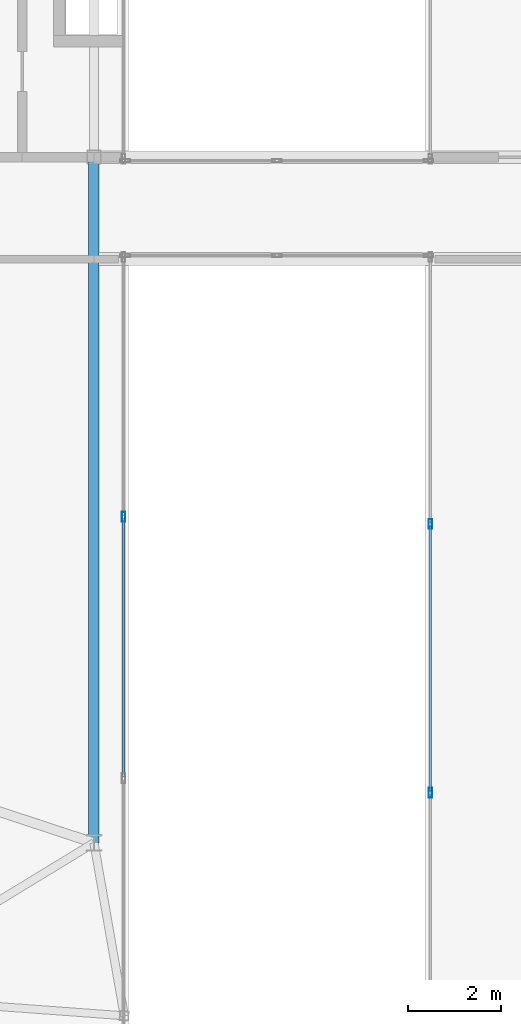
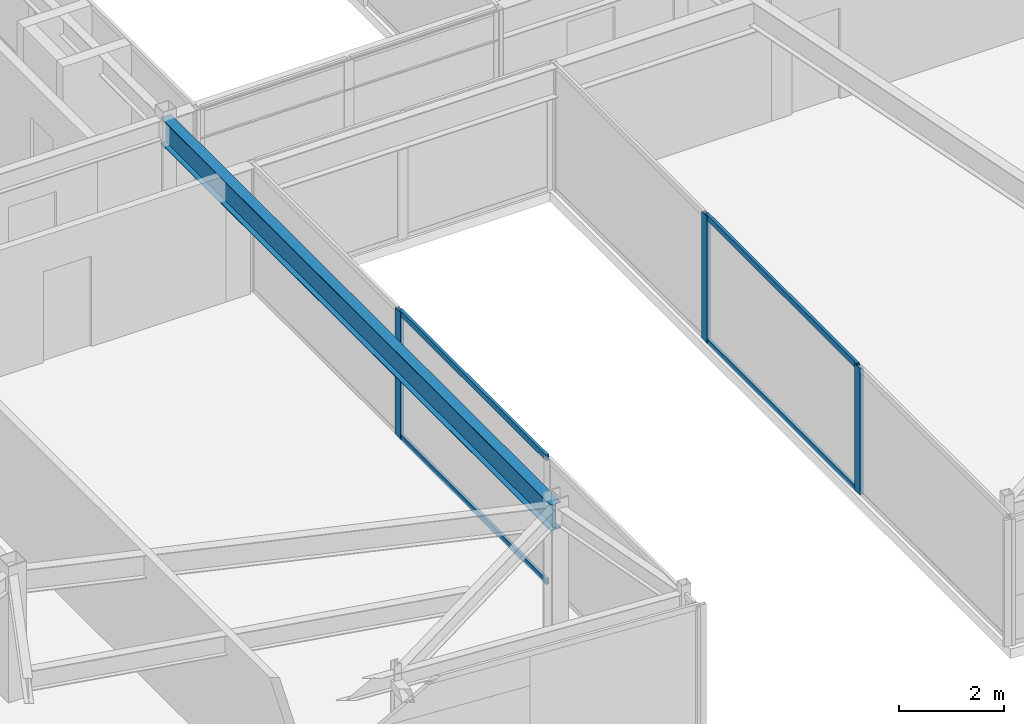
# One storey, part 13 of 39: 7 members, 1 beam, 2 elements without a shape of their own.
"""IFC4 building model written with IfcOpenShell, lengths in metres."""

import ifcopenshell
import ifcopenshell.guid

model = None  # the IFC model being written
_history = None  # IfcOwnerHistory: only IFC2X3 demands one
_inside = {}  # id of a spatial element -> (the spatial element, [elements in it])
_under = {}  # id of a project, library or spatial element -> (it, [spatial elements below it])
_declared = {}  # id of a project -> (the project, [libraries it declares])
_typed = {}  # id of a type object -> (the type object, [elements of that type])
_made_of = {}  # id of a material, layer set ... -> (it, [elements and type objects made of it])


def new_model(schema):
    """Start an empty IFC model of exactly this schema.

    Asked for "IFC4X3", IfcOpenShell would pick the latest addendum, in which some entities
    have other attributes; the version numbers below select the first issue.
    IFC2X3 requires an IfcOwnerHistory on every rooted entity: one is made here for all.
    """
    global model, _history
    if schema == "IFC4X3":
        model = ifcopenshell.file(schema_version=(4, 3, 0, 0))
    else:
        model = ifcopenshell.file(schema=schema)
    _inside.clear()
    _under.clear()
    _declared.clear()
    _typed.clear()
    _made_of.clear()
    _history = None
    if model.schema == "IFC2X3":
        org = make("IfcOrganization", Name="unknown")
        user = make(
            "IfcPersonAndOrganization",
            ThePerson=make("IfcPerson", FamilyName="unknown"),
            TheOrganization=org,
        )
        app = make(
            "IfcApplication",
            ApplicationDeveloper=org,
            Version="unknown",
            ApplicationFullName="unknown",
            ApplicationIdentifier="unknown",
        )
        _history = make(
            "IfcOwnerHistory",
            OwningUser=user,
            OwningApplication=app,
            ChangeAction="ADDED",
            CreationDate=0,
        )
    return model


def make(cls, **values):
    """One entity of the class cls with the attributes given. An attribute that is None is left unset."""
    return model.create_entity(
        cls, **{name: value for name, value in values.items() if value is not None}
    )


def rooted(cls, **values):
    """An entity with a GlobalId (a new one), such as an element, a storey or a relation."""
    return make(cls, GlobalId=ifcopenshell.guid.new(), OwnerHistory=_history, **values)


def si_unit(unit_type, name, prefix=None):
    """IfcSIUnit, for example si_unit("LENGTHUNIT", "METRE", prefix="MILLI")."""
    return make("IfcSIUnit", UnitType=unit_type, Prefix=prefix, Name=name)


def assignment(units):
    """IfcUnitAssignment: the units of a project."""
    return None if units is None else make("IfcUnitAssignment", Units=units)


def point(xyz):
    """IfcCartesianPoint."""
    return None if xyz is None else make("IfcCartesianPoint", Coordinates=xyz)


def direction(xyz):
    """IfcDirection."""
    return None if xyz is None else make("IfcDirection", DirectionRatios=xyz)


def frame(location, z_axis=None, x_axis=None):
    """IfcAxis2Placement3D, a coordinate frame: its origin and axes. An axis left out is left unset."""
    return make(
        "IfcAxis2Placement3D",
        Location=point(location),
        Axis=direction(z_axis),
        RefDirection=direction(x_axis),
    )


def frame_2d(location, x_axis=None):
    """IfcAxis2Placement2D, a coordinate frame in the plane: its origin and x axis."""
    return make(
        "IfcAxis2Placement2D", Location=point(location), RefDirection=direction(x_axis)
    )


def origin():
    """The frame at (0, 0, 0) with its axes left unset."""
    return frame((0.0, 0.0, 0.0))


def origin_2d():
    """The frame at (0, 0) in the plane with its x axis left unset."""
    return frame_2d((0.0, 0.0))


def place(relative_to, where):
    """IfcLocalPlacement: puts the frame where relative to a parent placement (None: the world)."""
    return make(
        "IfcLocalPlacement", PlacementRelTo=relative_to, RelativePlacement=where
    )


def context(
    kind, dimensions, precision=None, world=None, true_north=None, identifier=None
):
    """IfcGeometricRepresentationContext, for example the 3D "Model" context."""
    return make(
        "IfcGeometricRepresentationContext",
        ContextIdentifier=identifier,
        ContextType=kind,
        CoordinateSpaceDimension=dimensions,
        Precision=precision,
        WorldCoordinateSystem=world,
        TrueNorth=true_north,
    )


def subcontext(parent, identifier, kind, view, scale=None):
    """IfcGeometricRepresentationSubContext, for example "Body" below "Model"."""
    return make(
        "IfcGeometricRepresentationSubContext",
        ContextIdentifier=identifier,
        ContextType=kind,
        ParentContext=parent,
        TargetScale=scale,
        TargetView=view,
    )


def project(units=None, contexts=None):
    """IfcProject with its units and contexts."""
    return rooted(
        "IfcProject",
        Name="project",
        RepresentationContexts=contexts,
        UnitsInContext=assignment(units),
    )


def spatial(cls, under=None, at=None, **own):
    """A site, building, storey or space (cls), placed at a placement, below another one or the project."""
    s = rooted(cls, ObjectPlacement=at, **own)
    if under is not None:
        _under.setdefault(under.id(), (under, []))[1].append(s)
    return s


def profile(cls, at=None, kind="AREA", **sizes):
    """A parametric profile (cls). Its sizes go by their IFC names, for example OverallWidth=200.0."""
    return make(cls, ProfileType=kind, Position=at, **sizes)


def hollow_rectangle(**sizes):
    """IfcRectangleHollowProfileDef."""
    return profile("IfcRectangleHollowProfileDef", **sizes)


def i_section(**sizes):
    """IfcIShapeProfileDef."""
    return profile("IfcIShapeProfileDef", **sizes)


def extrude(swept, where, along, depth):
    """IfcExtrudedAreaSolid: the profile swept, set in the frame where, extruded along a direction by depth."""
    return make(
        "IfcExtrudedAreaSolid",
        SweptArea=swept,
        Position=where,
        ExtrudedDirection=direction(along),
        Depth=depth,
    )


def shape(context_of_items, identifier, shape_type, items):
    """IfcShapeRepresentation: the items that make up one representation, for example the "Body"."""
    return make(
        "IfcShapeRepresentation",
        ContextOfItems=context_of_items,
        RepresentationIdentifier=identifier,
        RepresentationType=shape_type,
        Items=items,
    )


def source(mapping_origin, context_of_items, identifier, shape_type, items):
    """IfcRepresentationMap: a shape defined once, which mapped items show again and again."""
    return make(
        "IfcRepresentationMap",
        MappingOrigin=mapping_origin,
        MappedRepresentation=shape(context_of_items, identifier, shape_type, items),
    )


def transform(
    local_origin,
    x_axis=None,
    y_axis=None,
    z_axis=None,
    scale=None,
    scale2=None,
    scale3=None,
    uniform=True,
):
    """IfcCartesianTransformationOperator3D, or its non-uniform kind. x_axis, y_axis, z_axis: its Axis1, 2, 3."""
    if uniform:
        return make(
            "IfcCartesianTransformationOperator3D",
            Axis1=direction(x_axis),
            Axis2=direction(y_axis),
            LocalOrigin=point(local_origin),
            Scale=scale,
            Axis3=direction(z_axis),
        )
    return make(
        "IfcCartesianTransformationOperator3DnonUniform",
        Axis1=direction(x_axis),
        Axis2=direction(y_axis),
        LocalOrigin=point(local_origin),
        Scale=scale,
        Axis3=direction(z_axis),
        Scale2=scale2,
        Scale3=scale3,
    )


def mapped(mapping_source, mapping_target):
    """IfcMappedItem: shows the shape of a source again, moved by a transform."""
    return make(
        "IfcMappedItem", MappingSource=mapping_source, MappingTarget=mapping_target
    )


def material(Name=None, Category=None):
    """IfcMaterial."""
    return make("IfcMaterial", Name=Name, Category=Category)


def layer(
    of_material, thickness, ventilated=None, Name=None, Category=None, Priority=None
):
    """IfcMaterialLayer: one layer of a wall or slab, of a material (None: an air gap)."""
    return make(
        "IfcMaterialLayer",
        Material=of_material,
        LayerThickness=thickness,
        IsVentilated=ventilated,
        Name=Name,
        Category=Category,
        Priority=Priority,
    )


def layer_set(layers, Name=None):
    """IfcMaterialLayerSet."""
    return make("IfcMaterialLayerSet", MaterialLayers=layers, LayerSetName=Name)


def material_profile(
    of_material, cross_section, Name=None, Category=None, Priority=None
):
    """IfcMaterialProfile: a cross section and its material."""
    return make(
        "IfcMaterialProfile",
        Name=Name,
        Material=of_material,
        Profile=cross_section,
        Priority=Priority,
        Category=Category,
    )


def profile_set(profiles, Name=None, composite=None):
    """IfcMaterialProfileSet."""
    return make(
        "IfcMaterialProfileSet",
        Name=Name,
        MaterialProfiles=profiles,
        CompositeProfile=composite,
    )


def made_of(thing, what):
    """Note that an element or type object is made of a material, layer set ...; save() writes the relation."""
    if what is not None:
        _made_of.setdefault(what.id(), (what, []))[1].append(thing)
    return thing


def type_object(cls, material=None, **own):
    """A type object (cls), such as IfcWallType, which elements share."""
    return made_of(rooted(cls, **own), material)


def element(
    cls,
    number,
    at=None,
    inside=None,
    cuts=None,
    type_object=None,
    material=None,
    context=None,
    identifier="Body",
    shape_type=None,
    held_by="IfcProductDefinitionShape",
    body=None,
    shapes=None,
    **own,
):
    """One element of the class cls, such as IfcWall. Its Tag is "e" and its number.

    at: its placement. inside: the storey or other place that contains it. cuts: it is an
    opening in that element (IfcRelVoidsElement). A single representation is given by context,
    identifier, shape_type and body (its items); several are given by shapes. held_by: the class
    of the entity that holds the representations. save() writes the other relations.
    """
    e = rooted(cls, Tag="e%d" % number, ObjectPlacement=at, **own)
    if body is not None:
        shapes = [shape(context, identifier, shape_type, body)]
    if shapes is not None:
        e.Representation = make(held_by, Representations=shapes)
    if inside is not None:
        _inside.setdefault(inside.id(), (inside, []))[1].append(e)
    if cuts is not None:
        rooted(
            "IfcRelVoidsElement", RelatingBuildingElement=cuts, RelatedOpeningElement=e
        )
    if type_object is not None:
        _typed.setdefault(type_object.id(), (type_object, []))[1].append(e)
    return made_of(e, material)


def aggregate(whole, parts):
    """IfcRelAggregates: a whole, such as a stair, and the parts it consists of."""
    return rooted("IfcRelAggregates", RelatingObject=whole, RelatedObjects=parts)


def save(model, path):
    """Write the relations noted so far, then the file.

    IfcRelAggregates (storeys below a building ...), IfcRelContainedInSpatialStructure (elements
    in a storey), IfcRelDefinesByType, IfcRelAssociatesMaterial and IfcRelDeclares: one each for
    every whole, place, type object, material and project.
    """
    for whole, parts in _under.values():
        aggregate(whole, parts)
    for where, things in _inside.values():
        rooted(
            "IfcRelContainedInSpatialStructure",
            RelatedElements=things,
            RelatingStructure=where,
        )
    for kind, things in _typed.values():
        rooted("IfcRelDefinesByType", RelatedObjects=things, RelatingType=kind)
    for what, things in _made_of.values():
        rooted("IfcRelAssociatesMaterial", RelatedObjects=things, RelatingMaterial=what)
    for by, libraries in _declared.values():
        rooted("IfcRelDeclares", RelatingContext=by, RelatedDefinitions=libraries)
    model.write(path)


model = new_model("IFC4")

# Units and contexts
model_context = context("Model", 3, precision=1e-05, world=origin(), true_north=direction((0.0, 1.0)))
body_context = subcontext(model_context, "Body", "Model", "MODEL_VIEW")
ifc_project = project(units=[si_unit("LENGTHUNIT", "METRE"), si_unit("AREAUNIT", "SQUARE_METRE"), si_unit("VOLUMEUNIT", "CUBIC_METRE"), si_unit("PLANEANGLEUNIT", "RADIAN"), si_unit("MASSUNIT", "GRAM", prefix="KILO")], contexts=[model_context])

# Site, building, storey
site_placement = place(None, origin())
site = spatial("IfcSite", under=ifc_project, at=site_placement, CompositionType="ELEMENT")
building_placement = place(site_placement, origin())
building = spatial("IfcBuilding", under=site, at=building_placement, Name="Taldren Reach Tower", CompositionType="ELEMENT")
storey_placement = place(building_placement, frame((0.0, 0.0, 230.300048828125)))
storey = spatial("IfcBuildingStorey", under=building, at=storey_placement, Name="L70", CompositionType="ELEMENT", Elevation=230.300048828125)

# Beam
ifc_material_1 = material(Name="Steel Gr 350 (350PLUS)", Category="steel")
ifc_material_profile_1 = material_profile(ifc_material_1, i_section(OverallWidth=0.22802734375, OverallDepth=0.60205078125, WebThickness=0.010498046875, FlangeThickness=0.014892578125, at=origin_2d()), Name="610UB101")
ifc_profile_set_1 = profile_set([ifc_material_profile_1], Name="Steel Gr 350 (350PLUS)")
beam_type = type_object("IfcBeamType", Name="BM-UB610B", PredefinedType="BEAM", material=ifc_profile_set_1)
shared_shape_1 = source(origin(), body_context, "Body", "SweptSolid", [
    extrude(i_section(OverallWidth=0.22802734375, OverallDepth=0.60205078125, WebThickness=0.010498046875, FlangeThickness=0.014892578125, at=origin_2d()), origin(), (0.0, 0.0, 1.0), 14.800048828125),
])
beam_placement = place(storey_placement, frame((28.0, 24.0, 2.62890625), z_axis=(0.0, -1.0, 0.0), x_axis=(1.0, 0.0, 0.0)))
element("IfcBeam", 1, at=beam_placement, inside=storey, type_object=beam_type, Name="Core-spine girder L70-SP14", PredefinedType="BEAM", context=body_context, shape_type="MappedRepresentation", body=[
    mapped(shared_shape_1, transform((0.0, 0.0, 0.0), scale=1.0)),
])

# Curtain wall, member
ifc_material_2 = material(Name="Aluminium and Low-E Glass Unitised System", Category="aluminium")
ifc_layer = layer(ifc_material_2, 0.159912109375)
ifc_layer_set = layer_set([ifc_layer], Name="Aluminium and Low-E Glass Unitised System")
curtain_wall_type = type_object("IfcCurtainWallType", Name="CW-SYS-7", PredefinedType="NOTDEFINED", material=ifc_layer_set)
curtain_wall_1_placement = place(storey_placement, origin())
curtain_wall_1 = element("IfcCurtainWall", 2, at=curtain_wall_1_placement, inside=storey, type_object=curtain_wall_type, Name="Unitised curtain wall CW7-L70-PSW", PredefinedType="NOTDEFINED")
ifc_material_3 = material(Name="Anodised Aluminium 6063-T6", Category="aluminium")
ifc_material_profile_2 = material_profile(ifc_material_3, hollow_rectangle(XDim=0.074951171875, YDim=0.2099609375, WallThickness=0.00439453125, at=origin_2d()), Name="ALU-210x75x4.5RHS")
ifc_profile_set_2 = profile_set([ifc_material_profile_2], Name="Anodised Aluminium 6063-T6")
member_type_1 = type_object("IfcMemberType", Name="CW-MUL-200", PredefinedType="MULLION", material=ifc_profile_set_2)
shared_shape_2 = source(origin(), body_context, "Body", "SweptSolid", [
    extrude(hollow_rectangle(XDim=0.074951171875, YDim=0.2099609375, WallThickness=0.00439453125, at=origin_2d()), origin(), (0.0, 0.0, 1.0), 2.929931640625),
])
member_1_placement = place(storey_placement, frame((28.639892578125, 16.236572265625, 0.0), z_axis=(0.0, 0.0, 1.0), x_axis=(-1.0, 0.0, 0.0)))
member_1 = element("IfcMember", 3, at=member_1_placement, type_object=member_type_1, Name="CW-7 mullion 3", PredefinedType="MULLION", context=body_context, shape_type="MappedRepresentation", body=[
    mapped(shared_shape_2, transform((0.0, 0.0, 0.0), scale=1.0)),
])

# Curtain wall, members
curtain_wall_2_placement = place(storey_placement, origin())
curtain_wall_2 = element("IfcCurtainWall", 4, at=curtain_wall_2_placement, inside=storey, type_object=curtain_wall_type, Name="Unitised curtain wall CW7-L70-PSE", PredefinedType="NOTDEFINED")
member_2_placement = place(storey_placement, frame((35.260009765625, 16.079833984375, 0.0), z_axis=(0.0, 0.0, 1.0), x_axis=(1.0, 0.0, 0.0)))
member_2 = element("IfcMember", 5, at=member_2_placement, type_object=member_type_1, Name="CW-7 mullion 2", PredefinedType="MULLION", context=body_context, shape_type="MappedRepresentation", body=[
    mapped(shared_shape_2, transform((0.0, 0.0, 0.0), scale=1.0)),
])
member_3_placement = place(storey_placement, frame((35.260009765625, 10.27978515625, 0.0), z_axis=(0.0, 0.0, 1.0), x_axis=(1.0, 0.0, 0.0)))
member_3 = element("IfcMember", 6, at=member_3_placement, type_object=member_type_1, Name="CW-7 mullion 3", PredefinedType="MULLION", context=body_context, shape_type="MappedRepresentation", body=[
    mapped(shared_shape_2, transform((0.0, 0.0, 0.0), scale=1.0)),
])

# Member
ifc_material_profile_3 = material_profile(ifc_material_3, hollow_rectangle(XDim=0.06005859375, YDim=0.135009765625, WallThickness=0.00341796875, at=origin_2d()), Name="ALU-135x60x3.5RHS")
ifc_profile_set_3 = profile_set([ifc_material_profile_3], Name="Anodised Aluminium 6063-T6")
member_type_2 = type_object("IfcMemberType", Name="CW-TRN-150", PredefinedType="USERDEFINED", material=ifc_profile_set_3)
shared_shape_3 = source(origin(), body_context, "Body", "SweptSolid", [
    extrude(hollow_rectangle(XDim=0.06005859375, YDim=0.135009765625, WallThickness=0.00341796875, at=origin_2d()), origin(), (0.0, 0.0, 1.0), 5.568359375),
])
member_4_placement = place(storey_placement, frame((28.639892578125, 10.630615234375, 0.030029296875), z_axis=(0.0, 1.0, 0.0), x_axis=(-1.0, 0.0, 0.0)))
member_4 = element("IfcMember", 7, at=member_4_placement, type_object=member_type_2, Name="CW-7 transom 2.1", ObjectType="TRANSOM", PredefinedType="USERDEFINED", context=body_context, shape_type="MappedRepresentation", body=[
    mapped(shared_shape_3, transform((0.0, 0.0, 0.0), scale=1.0)),
])

member_5_placement = place(storey_placement, frame((28.639892578125, 10.630615234375, 2.89990234375), z_axis=(0.0, 1.0, 0.0), x_axis=(-1.0, 0.0, 0.0)))
member_5 = element("IfcMember", 8, at=member_5_placement, type_object=member_type_2, Name="CW-7 transom 2.2", ObjectType="TRANSOM", PredefinedType="USERDEFINED", context=body_context, shape_type="MappedRepresentation", body=[
    mapped(shared_shape_3, transform((0.0, 0.0, 0.0), scale=1.0)),
])

aggregate(curtain_wall_1, [member_1, member_4, member_5])

shared_shape_4 = source(origin(), body_context, "Body", "SweptSolid", [
    extrude(hollow_rectangle(XDim=0.06005859375, YDim=0.135009765625, WallThickness=0.00341796875, at=origin_2d()), origin(), (0.0, 0.0, 1.0), 5.72509765625),
])
member_6_placement = place(storey_placement, frame((35.260009765625, 16.042236328125, 0.030029296875), z_axis=(0.0, -1.0, 0.0), x_axis=(1.0, 0.0, 0.0)))
member_6 = element("IfcMember", 9, at=member_6_placement, type_object=member_type_2, Name="CW-7 transom 2.1", ObjectType="TRANSOM", PredefinedType="USERDEFINED", context=body_context, shape_type="MappedRepresentation", body=[
    mapped(shared_shape_4, transform((0.0, 0.0, 0.0), scale=1.0)),
])

member_7_placement = place(storey_placement, frame((35.260009765625, 16.042236328125, 2.89990234375), z_axis=(0.0, -1.0, 0.0), x_axis=(1.0, 0.0, 0.0)))
member_7 = element("IfcMember", 10, at=member_7_placement, type_object=member_type_2, Name="CW-7 transom 2.2", ObjectType="TRANSOM", PredefinedType="USERDEFINED", context=body_context, shape_type="MappedRepresentation", body=[
    mapped(shared_shape_4, transform((0.0, 0.0, 0.0), scale=1.0)),
])

aggregate(curtain_wall_2, [member_2, member_3, member_6, member_7])

save(model, "model.ifc")
